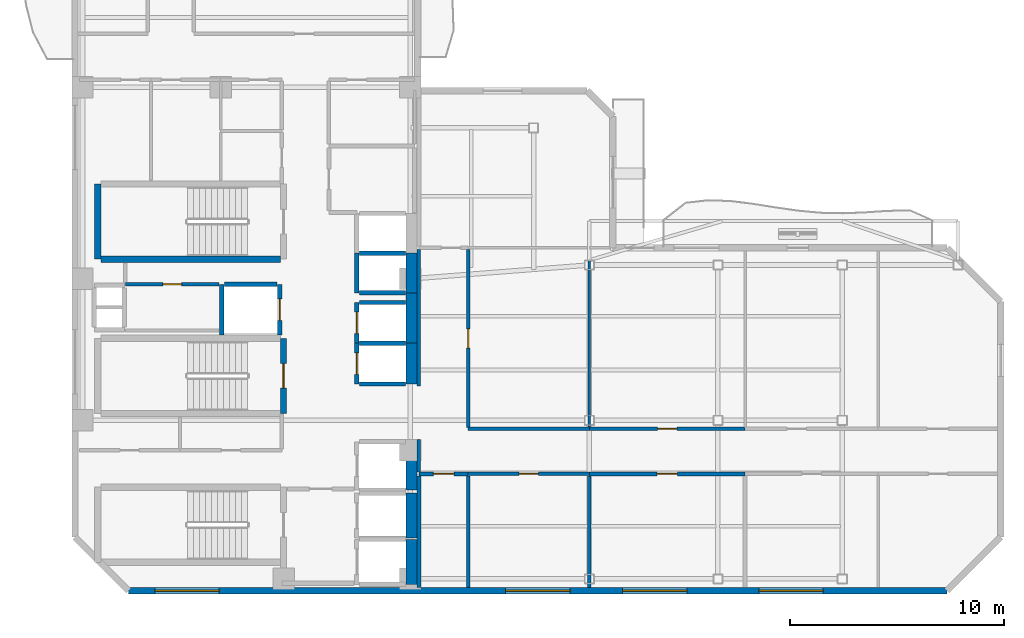
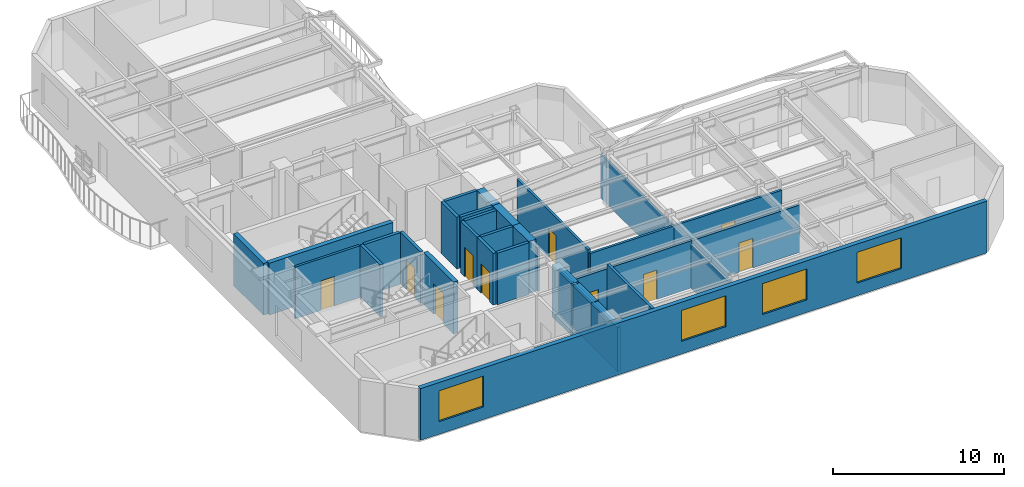
# One storey, part 3 of 9: 34 walls, 10 doors, 4 windows, 14 openings.
"""IFC4 building model written with IfcOpenShell, lengths in metres."""

from ifc_helpers import new_model, si_unit, direction, frame, frame_2d, origin, place, context, subcontext, project, spatial, rectangle, extrude, material, layer, layer_set, type_object, element, fill, save


model = new_model("IFC4")

# Units and contexts
model_context = context("Model", 3, precision=1e-05, world=origin(), true_north=direction((0.0, 1.0)))
body_context = subcontext(model_context, "Body", "Model", "MODEL_VIEW")
ifc_project = project(units=[si_unit("LENGTHUNIT", "METRE"), si_unit("AREAUNIT", "SQUARE_METRE"), si_unit("VOLUMEUNIT", "CUBIC_METRE"), si_unit("PLANEANGLEUNIT", "RADIAN"), si_unit("MASSUNIT", "GRAM", prefix="KILO")], contexts=[model_context])

# Site, building, storey
site_placement = place(None, origin())
site = spatial("IfcSite", under=ifc_project, at=site_placement, CompositionType="ELEMENT")
building_placement = place(site_placement, origin())
building = spatial("IfcBuilding", under=site, at=building_placement, Name="Mawjaban Terraces University", CompositionType="ELEMENT")
storey_placement = place(building_placement, frame((0.0, 0.0, 195.300048828125)))
storey = spatial("IfcBuildingStorey", under=building, at=storey_placement, Name="L47", CompositionType="ELEMENT", Elevation=195.300048828125)

# Wall, opening, door
ifc_material_1 = material(Name="Acoustic masonry blockwork", Category="masonry")
ifc_layer_1 = layer(ifc_material_1, 0.179931640625)
ifc_layer_set_1 = layer_set([ifc_layer_1], Name="Acoustic masonry blockwork")
wall_type_1 = type_object("IfcWallType", Name="AcousticStudioWall_180", PredefinedType="PARTITIONING", material=ifc_layer_set_1)
wall_1_placement = place(storey_placement, frame((38.050048828125, 5.449951171875, 0.0), z_axis=(0.0, 0.0, 1.0), x_axis=(1.0, 0.0, 0.0)))
wall_1 = element("IfcWall", 1, at=wall_1_placement, inside=storey, type_object=wall_type_1, Name="L47 South Spine Spur Link Partition 18", PredefinedType="PARTITIONING", context=body_context, shape_type="SweptSolid", body=[
    extrude(rectangle(XDim=2.300048828125, YDim=0.179931640625, at=frame_2d((1.14990234375, 0.0))), origin(), (0.0, 0.0, 1.0), 3.3720703125),
])
opening_1_placement = place(wall_1_placement, frame((0.675048828125, 0.0, 0.0)))
opening_1 = element("IfcOpeningElement", 2, at=opening_1_placement, cuts=wall_1, Name="Opening ID-095", PredefinedType="OPENING", context=body_context, shape_type="SweptSolid", body=[
    extrude(rectangle(XDim=0.949951171875, YDim=2.10009765625, at=frame_2d((0.47509765625, 1.050048828125))), frame((0.0, 0.099853515625, 0.0), z_axis=(0.0, -1.0, 0.0), x_axis=(1.0, 0.0, 0.0)), (0.0, 0.0, 1.0), 0.199951171875),
])
ifc_material_2 = material(Name="Powder-coated steel frame and solid acoustic timber leaf", Category="steel")
door_type_1 = type_object("IfcDoorType", Name="StudioDoor_950x2100", OperationType="NOTDEFINED", PredefinedType="DOOR", material=ifc_material_2)
door_1_placement = place(opening_1_placement, origin())
door_1 = element("IfcDoor", 3, at=door_1_placement, inside=storey, type_object=door_type_1, Name="L47 Media Workshop 1 Door", OperationType="SINGLE_SWING_LEFT", OverallHeight=2.10009765625, OverallWidth=0.949951171875, PredefinedType="DOOR", context=body_context, shape_type="SweptSolid", body=[
    extrude(rectangle(XDim=0.949951171875, YDim=2.10009765625, at=frame_2d((0.47509765625, 1.050048828125))), frame((0.0, 0.02490234375, 0.0), z_axis=(0.0, -1.0, 0.0), x_axis=(1.0, 0.0, 0.0)), (0.0, 0.0, 1.0), 0.050048828125),
])
fill(opening_1, door_1)

wall_2_placement = place(storey_placement, frame((46.0, 5.449951171875, 0.0), z_axis=(0.0, 0.0, 1.0), x_axis=(1.0, 0.0, 0.0)))
wall_2 = element("IfcWall", 4, at=wall_2_placement, inside=storey, type_object=wall_type_1, Name="L47 South Shifted Academic Corridor Partition 21", PredefinedType="PARTITIONING", context=body_context, shape_type="SweptSolid", body=[
    extrude(rectangle(XDim=7.27001953125, YDim=0.179931640625, at=frame_2d((3.635009765625, 0.0))), origin(), (0.0, 0.0, 1.0), 3.3720703125),
])
opening_2_placement = place(wall_2_placement, frame((3.159912109375, 0.0, 0.0)))
opening_2 = element("IfcOpeningElement", 5, at=opening_2_placement, cuts=wall_2, Name="Opening ID-095", PredefinedType="OPENING", context=body_context, shape_type="SweptSolid", body=[
    extrude(rectangle(XDim=0.949951171875, YDim=2.10009765625, at=frame_2d((0.47509765625, 1.050048828125))), frame((0.0, 0.099853515625, 0.0), z_axis=(0.0, -1.0, 0.0), x_axis=(1.0, 0.0, 0.0)), (0.0, 0.0, 1.0), 0.199951171875),
])
door_2_placement = place(opening_2_placement, origin())
door_2 = element("IfcDoor", 6, at=door_2_placement, inside=storey, type_object=door_type_1, Name="L47 Media Workshop 4 Door", OperationType="SINGLE_SWING_RIGHT", OverallHeight=2.10009765625, OverallWidth=0.949951171875, PredefinedType="DOOR", context=body_context, shape_type="SweptSolid", body=[
    extrude(rectangle(XDim=0.949951171875, YDim=2.10009765625, at=frame_2d((0.47509765625, 1.050048828125))), frame((0.0, 0.02490234375, 0.0), z_axis=(0.0, -1.0, 0.0), x_axis=(1.0, 0.0, 0.0)), (0.0, 0.0, 1.0), 0.050048828125),
])
fill(opening_2, door_2)

# Walls
wall_3_placement = place(storey_placement, frame((38.050048828125, 5.364990234375, 0.0), z_axis=(0.0, 0.0, 1.0), x_axis=(0.0, -1.0, 0.0)))
element("IfcWall", 7, at=wall_3_placement, inside=storey, type_object=wall_type_1, Name="L47 Media Workshop 1 Partition 46", PredefinedType="PARTITIONING", context=body_context, shape_type="SweptSolid", body=[
    extrude(rectangle(XDim=5.219970703125, YDim=0.179931640625, at=frame_2d((2.60986328125, 0.0))), origin(), (0.0, 0.0, 1.0), 3.14599609375),
])
wall_4_placement = place(storey_placement, frame((40.35009765625, 0.14501953125, 0.0), z_axis=(0.0, 0.0, 1.0), x_axis=(0.0, 1.0, 0.0)))
element("IfcWall", 8, at=wall_4_placement, inside=storey, type_object=wall_type_1, Name="L47 Media Workshop 1 Partition 50", PredefinedType="PARTITIONING", context=body_context, shape_type="SweptSolid", body=[
    extrude(rectangle(XDim=5.219970703125, YDim=0.179931640625, at=frame_2d((2.60986328125, 0.0))), origin(), (0.0, 0.0, 1.0), 3.68994140625),
])
wall_5_placement = place(storey_placement, frame((46.0, 0.14501953125, 0.0), z_axis=(0.0, 0.0, 1.0), x_axis=(0.0, 1.0, 0.0)))
element("IfcWall", 9, at=wall_5_placement, inside=storey, type_object=wall_type_1, Name="L47 Quiet Reading Room 2 Partition 52", PredefinedType="PARTITIONING", context=body_context, shape_type="SweptSolid", body=[
    extrude(rectangle(XDim=5.219970703125, YDim=0.179931640625, at=frame_2d((2.60986328125, 0.0))), origin(), (0.0, 0.0, 1.0), 3.14599609375),
])
ifc_material_3 = material(Name="Concrete C60/75", Category="concrete")
ifc_layer_2 = layer(ifc_material_3, 0.5)
ifc_layer_set_2 = layer_set([ifc_layer_2], Name="Concrete C60/75")
wall_type_2 = type_object("IfcWallType", Name="CoreShearWall_500", PredefinedType="SHEAR", material=ifc_layer_set_2)
wall_6_placement = place(storey_placement, frame((37.699951171875, 0.300048828125, 0.0), z_axis=(0.0, 0.0, 1.0), x_axis=(0.0, 1.0, 0.0)))
element("IfcWall", 10, at=wall_6_placement, inside=storey, type_object=wall_type_2, Name="L47 Lift FL-1 Hoistway Wall East", PredefinedType="SHEAR", context=body_context, shape_type="SweptSolid", body=[
    extrude(rectangle(XDim=2.099853515625, YDim=0.5, at=frame_2d((1.0498046875, 0.0))), origin(), (0.0, 0.0, 1.0), 3.68994140625),
])
wall_7_placement = place(storey_placement, frame((37.699951171875, 2.449951171875, 0.0), z_axis=(0.0, 0.0, 1.0), x_axis=(0.0, 1.0, 0.0)))
element("IfcWall", 11, at=wall_7_placement, inside=storey, type_object=wall_type_2, Name="L47 Lift FL-2 Hoistway Wall East", PredefinedType="SHEAR", context=body_context, shape_type="SweptSolid", body=[
    extrude(rectangle(XDim=2.10009765625, YDim=0.5, at=frame_2d((1.050048828125, 0.0))), origin(), (0.0, 0.0, 1.0), 3.68994140625),
])
wall_8_placement = place(storey_placement, frame((37.699951171875, 4.699951171875, 0.0), z_axis=(0.0, 0.0, 1.0), x_axis=(0.0, 1.0, 0.0)))
element("IfcWall", 12, at=wall_8_placement, inside=storey, type_object=wall_type_2, Name="L47 Lift SL-1 Hoistway Wall East", PredefinedType="SHEAR", context=body_context, shape_type="SweptSolid", body=[
    extrude(rectangle(XDim=2.25, YDim=0.5, at=frame_2d((1.125, 0.0))), origin(), (0.0, 0.0, 1.0), 3.68994140625),
])
wall_9_placement = place(storey_placement, frame((37.699951171875, 9.64990234375, 0.0), z_axis=(0.0, 0.0, 1.0), x_axis=(0.0, 1.0, 0.0)))
element("IfcWall", 13, at=wall_9_placement, inside=storey, type_object=wall_type_2, Name="L47 Lift PL-H1 Hoistway Wall East", PredefinedType="SHEAR", context=body_context, shape_type="SweptSolid", body=[
    extrude(rectangle(XDim=1.900146484375, YDim=0.5, at=frame_2d((0.9501953125, 0.0))), origin(), (0.0, 0.0, 1.0), 3.68994140625),
])
wall_10_placement = place(storey_placement, frame((37.699951171875, 11.550048828125, 0.0), z_axis=(0.0, 0.0, 1.0), x_axis=(0.0, 1.0, 0.0)))
element("IfcWall", 14, at=wall_10_placement, inside=storey, type_object=wall_type_2, Name="L47 Lift PL-H2 Hoistway Wall East", PredefinedType="SHEAR", context=body_context, shape_type="SweptSolid", body=[
    extrude(rectangle(XDim=2.349853515625, YDim=0.5, at=frame_2d((1.1748046875, 0.0))), origin(), (0.0, 0.0, 1.0), 3.68994140625),
])
wall_11_placement = place(storey_placement, frame((37.699951171875, 13.89990234375, 0.0), z_axis=(0.0, 0.0, 1.0), x_axis=(0.0, 1.0, 0.0)))
element("IfcWall", 15, at=wall_11_placement, inside=storey, type_object=wall_type_2, Name="L47 Lift OL-1 Hoistway Wall East", PredefinedType="SHEAR", context=body_context, shape_type="SweptSolid", body=[
    extrude(rectangle(XDim=1.85009765625, YDim=0.5, at=frame_2d((0.925048828125, 0.0))), origin(), (0.0, 0.0, 1.0), 3.68994140625),
])

# Wall, opening, door
ifc_material_4 = material(Name="Fire-rated gypsum board on steel stud", Category="steel")
ifc_layer_3 = layer(ifc_material_4, 0.159912109375)
ifc_layer_set_3 = layer_set([ifc_layer_3], Name="Fire-rated gypsum board on steel stud")
wall_type_3 = type_object("IfcWallType", Name="CorridorPartition_160", PredefinedType="PARTITIONING", material=ifc_layer_set_3)
wall_12_placement = place(storey_placement, frame((24.35009765625, 14.300048828125, 0.0), z_axis=(0.0, 0.0, 1.0), x_axis=(1.0, 0.0, 0.0)))
wall_12 = element("IfcWall", 16, at=wall_12_placement, inside=storey, type_object=wall_type_3, Name="L47 Core Riser Access Passage Partition 2", PredefinedType="PARTITIONING", context=body_context, shape_type="SweptSolid", body=[
    extrude(rectangle(XDim=4.369873046875, YDim=0.159912109375, at=frame_2d((2.18505859375, 0.0))), origin(), (0.0, 0.0, 1.0), 3.68994140625),
])
opening_3_placement = place(wall_12_placement, frame((1.7451171875, 0.0, 0.0)))
opening_3 = element("IfcOpeningElement", 17, at=opening_3_placement, cuts=wall_12, Name="Opening ID-088", PredefinedType="OPENING", context=body_context, shape_type="SweptSolid", body=[
    extrude(rectangle(XDim=0.8798828125, YDim=2.10009765625, at=frame_2d((0.43994140625, 1.050048828125))), frame((0.0, 0.08984375, 0.0), z_axis=(0.0, -1.0, 0.0), x_axis=(1.0, 0.0, 0.0)), (0.0, 0.0, 1.0), 0.179931640625),
])
door_type_2 = type_object("IfcDoorType", Name="ToiletDoor_880x2100", OperationType="NOTDEFINED", PredefinedType="DOOR", material=ifc_material_2)
door_3_placement = place(opening_3_placement, origin())
door_3 = element("IfcDoor", 18, at=door_3_placement, inside=storey, type_object=door_type_2, Name="L47 Ablution Room Door", OperationType="SINGLE_SWING_RIGHT", OverallHeight=2.10009765625, OverallWidth=0.8798828125, PredefinedType="DOOR", context=body_context, shape_type="SweptSolid", body=[
    extrude(rectangle(XDim=0.8798828125, YDim=2.10009765625, at=frame_2d((0.43994140625, 1.050048828125))), frame((0.0, 0.02490234375, 0.0), z_axis=(0.0, -1.0, 0.0), x_axis=(1.0, 0.0, 0.0)), (0.0, 0.0, 1.0), 0.050048828125),
])
fill(opening_3, door_3)

wall_13_placement = place(storey_placement, frame((40.35009765625, 5.449951171875, 0.0), z_axis=(0.0, 0.0, 1.0), x_axis=(1.0, 0.0, 0.0)))
wall_13 = element("IfcWall", 19, at=wall_13_placement, inside=storey, type_object=wall_type_3, Name="L47 South Shifted Academic Corridor Partition 19", PredefinedType="PARTITIONING", context=body_context, shape_type="SweptSolid", body=[
    extrude(rectangle(XDim=5.64990234375, YDim=0.159912109375, at=frame_2d((2.824951171875, 0.0))), origin(), (0.0, 0.0, 1.0), 3.3720703125),
])
opening_4_placement = place(wall_13_placement, frame((2.375, 0.0, 0.0)))
opening_4 = element("IfcOpeningElement", 20, at=opening_4_placement, cuts=wall_13, Name="Opening ID-090", PredefinedType="OPENING", context=body_context, shape_type="SweptSolid", body=[
    extrude(rectangle(XDim=0.89990234375, YDim=2.10009765625, at=frame_2d((0.449951171875, 1.050048828125))), frame((0.0, 0.08984375, 0.0), z_axis=(0.0, -1.0, 0.0), x_axis=(1.0, 0.0, 0.0)), (0.0, 0.0, 1.0), 0.179931640625),
])
door_type_3 = type_object("IfcDoorType", Name="OfficeDoor_900x2100", OperationType="NOTDEFINED", PredefinedType="DOOR", material=ifc_material_2)
door_4_placement = place(opening_4_placement, origin())
door_4 = element("IfcDoor", 21, at=door_4_placement, inside=storey, type_object=door_type_3, Name="L47 Quiet Reading Room 2 Door", OperationType="SINGLE_SWING_RIGHT", OverallHeight=2.10009765625, OverallWidth=0.89990234375, PredefinedType="DOOR", context=body_context, shape_type="SweptSolid", body=[
    extrude(rectangle(XDim=0.89990234375, YDim=2.10009765625, at=frame_2d((0.449951171875, 1.050048828125))), frame((0.0, 0.02490234375, 0.0), z_axis=(0.0, -1.0, 0.0), x_axis=(1.0, 0.0, 0.0)), (0.0, 0.0, 1.0), 0.050048828125),
])
fill(opening_4, door_4)

# Wall
wall_14_placement = place(storey_placement, frame((46.0, 7.550048828125, 0.0), z_axis=(0.0, 0.0, 1.0), x_axis=(-1.0, 0.0, 0.0)))
element("IfcWall", 22, at=wall_14_placement, inside=storey, type_object=wall_type_3, Name="L47 South Shifted Academic Corridor Partition 22", PredefinedType="PARTITIONING", context=body_context, shape_type="SweptSolid", body=[
    extrude(rectangle(XDim=5.64990234375, YDim=0.159912109375, at=frame_2d((2.824951171875, 0.0))), origin(), (0.0, 0.0, 1.0), 3.14599609375),
])

# Wall, opening, door
wall_15_placement = place(storey_placement, frame((53.27001953125, 7.550048828125, 0.0), z_axis=(0.0, 0.0, 1.0), x_axis=(-1.0, 0.0, 0.0)))
wall_15 = element("IfcWall", 23, at=wall_15_placement, inside=storey, type_object=wall_type_3, Name="L47 South Shifted Academic Corridor Partition 26", PredefinedType="PARTITIONING", context=body_context, shape_type="SweptSolid", body=[
    extrude(rectangle(XDim=7.27001953125, YDim=0.159912109375, at=frame_2d((3.635009765625, 0.0))), origin(), (0.0, 0.0, 1.0), 3.14599609375),
])
opening_5_placement = place(wall_15_placement, frame((3.18505859375, 0.0, 0.0)))
opening_5 = element("IfcOpeningElement", 24, at=opening_5_placement, cuts=wall_15, Name="Opening ID-090", PredefinedType="OPENING", context=body_context, shape_type="SweptSolid", body=[
    extrude(rectangle(XDim=0.89990234375, YDim=2.10009765625, at=frame_2d((0.449951171875, 1.050048828125))), frame((0.0, 0.08984375, 0.0), z_axis=(0.0, -1.0, 0.0), x_axis=(1.0, 0.0, 0.0)), (0.0, 0.0, 1.0), 0.179931640625),
])
door_5_placement = place(opening_5_placement, origin())
door_5 = element("IfcDoor", 25, at=door_5_placement, inside=storey, type_object=door_type_3, Name="L47 Quiet Reading Room 5 Door", OperationType="SINGLE_SWING_LEFT", OverallHeight=2.10009765625, OverallWidth=0.89990234375, PredefinedType="DOOR", context=body_context, shape_type="SweptSolid", body=[
    extrude(rectangle(XDim=0.89990234375, YDim=2.10009765625, at=frame_2d((0.449951171875, 1.050048828125))), frame((0.0, 0.02490234375, 0.0), z_axis=(0.0, -1.0, 0.0), x_axis=(1.0, 0.0, 0.0)), (0.0, 0.0, 1.0), 0.050048828125),
])
fill(opening_5, door_5)

# Walls
wall_16_placement = place(storey_placement, frame((38.050048828125, 7.050048828125, 0.0), z_axis=(0.0, 0.0, 1.0), x_axis=(0.0, -1.0, 0.0)))
element("IfcWall", 26, at=wall_16_placement, inside=storey, type_object=wall_type_3, Name="L47 South Spine Spur Link Partition 47", PredefinedType="PARTITIONING", context=body_context, shape_type="SweptSolid", body=[
    extrude(rectangle(XDim=1.51513671875, YDim=0.159912109375, at=frame_2d((0.757568359375, 0.0))), origin(), (0.0, 0.0, 1.0), 3.14599609375),
])
wall_17_placement = place(storey_placement, frame((38.050048828125, 15.925048828125, 0.0), z_axis=(0.0, 0.0, 1.0), x_axis=(0.0, -1.0, 0.0)))
element("IfcWall", 27, at=wall_17_placement, inside=storey, type_object=wall_type_3, Name="L47 South Spine Spur Link Partition 48", PredefinedType="PARTITIONING", context=body_context, shape_type="SweptSolid", body=[
    extrude(rectangle(XDim=6.375, YDim=0.159912109375, at=frame_2d((3.1875, 0.0))), origin(), (0.0, 0.0, 1.0), 3.14599609375),
])

# Wall, opening, door
wall_18_placement = place(storey_placement, frame((40.35009765625, 7.625, 0.0), z_axis=(0.0, 0.0, 1.0), x_axis=(0.0, 1.0, 0.0)))
wall_18 = element("IfcWall", 28, at=wall_18_placement, inside=storey, type_object=wall_type_3, Name="L47 South Spine Spur Link Partition 51", PredefinedType="PARTITIONING", context=body_context, shape_type="SweptSolid", body=[
    extrude(rectangle(XDim=8.300048828125, YDim=0.159912109375, at=frame_2d((4.14990234375, 0.0))), origin(), (0.0, 0.0, 1.0), 3.3720703125),
])
opening_6_placement = place(wall_18_placement, frame((3.699951171875, 0.0, 0.0)))
opening_6 = element("IfcOpeningElement", 29, at=opening_6_placement, cuts=wall_18, Name="Opening ID-090", PredefinedType="OPENING", context=body_context, shape_type="SweptSolid", body=[
    extrude(rectangle(XDim=0.89990234375, YDim=2.10009765625, at=frame_2d((0.449951171875, 1.050048828125))), frame((0.0, 0.08984375, 0.0), z_axis=(0.0, -1.0, 0.0), x_axis=(1.0, 0.0, 0.0)), (0.0, 0.0, 1.0), 0.179931640625),
])
door_6_placement = place(opening_6_placement, origin())
door_6 = element("IfcDoor", 30, at=door_6_placement, inside=storey, type_object=door_type_3, Name="L47 Reading Salon 3 Door", OperationType="SINGLE_SWING_LEFT", OverallHeight=2.10009765625, OverallWidth=0.89990234375, PredefinedType="DOOR", context=body_context, shape_type="SweptSolid", body=[
    extrude(rectangle(XDim=0.89990234375, YDim=2.10009765625, at=frame_2d((0.449951171875, 1.050048828125))), frame((0.0, 0.02490234375, 0.0), z_axis=(0.0, -1.0, 0.0), x_axis=(1.0, 0.0, 0.0)), (0.0, 0.0, 1.0), 0.050048828125),
])
fill(opening_6, door_6)

# Wall, openings, windows
ifc_material_5 = material(Name="Insulated terracotta rainscreen on concrete backup C40/50", Category="masonry")
ifc_layer_4 = layer(ifc_material_5, 0.300048828125)
ifc_layer_set_4 = layer_set([ifc_layer_4], Name="Insulated terracotta rainscreen on concrete backup C40/50")
wall_type_4 = type_object("IfcWallType", Name="ExtTerracottaWall_300", PredefinedType="SOLIDWALL", material=ifc_layer_set_4)
wall_19_placement = place(storey_placement, frame((24.5, 0.0, 0.0), z_axis=(0.0, 0.0, 1.0), x_axis=(1.0, 0.0, 0.0)))
wall_19 = element("IfcWall", 31, at=wall_19_placement, inside=storey, type_object=wall_type_4, Name="L47 Exterior Terracotta Wall 1", PredefinedType="SOLIDWALL", context=body_context, shape_type="SweptSolid", body=[
    extrude(rectangle(XDim=38.199951171875, YDim=0.300048828125, at=frame_2d((19.10009765625, 0.0))), origin(), (0.0, 0.0, 1.0), 3.68994140625),
])
opening_7_placement = place(wall_19_placement, frame((1.22900390625, 0.0, 0.89990234375)))
opening_7 = element("IfcOpeningElement", 32, at=opening_7_placement, cuts=wall_19, Name="Opening W-12", PredefinedType="OPENING", context=body_context, shape_type="SweptSolid", body=[
    extrude(rectangle(XDim=3.0, YDim=2.199951171875, at=frame_2d((1.5, 1.10009765625))), frame((0.0, 0.159912109375, 0.0), z_axis=(0.0, -1.0, 0.0), x_axis=(1.0, 0.0, 0.0)), (0.0, 0.0, 1.0), 0.320068359375),
])
opening_8_placement = place(wall_19_placement, frame((17.60009765625, 0.0, 0.89990234375)))
opening_8 = element("IfcOpeningElement", 33, at=opening_8_placement, cuts=wall_19, Name="Opening W-12", PredefinedType="OPENING", context=body_context, shape_type="SweptSolid", body=[
    extrude(rectangle(XDim=3.0, YDim=2.199951171875, at=frame_2d((1.5, 1.10009765625))), frame((0.0, 0.159912109375, 0.0), z_axis=(0.0, -1.0, 0.0), x_axis=(1.0, 0.0, 0.0)), (0.0, 0.0, 1.0), 0.320068359375),
])
opening_9_placement = place(wall_19_placement, frame((23.056884765625, 0.0, 0.89990234375)))
opening_9 = element("IfcOpeningElement", 34, at=opening_9_placement, cuts=wall_19, Name="Opening W-12", PredefinedType="OPENING", context=body_context, shape_type="SweptSolid", body=[
    extrude(rectangle(XDim=3.0, YDim=2.199951171875, at=frame_2d((1.5, 1.10009765625))), frame((0.0, 0.159912109375, 0.0), z_axis=(0.0, -1.0, 0.0), x_axis=(1.0, 0.0, 0.0)), (0.0, 0.0, 1.0), 0.320068359375),
])
opening_10_placement = place(wall_19_placement, frame((29.4140625, 0.0, 0.89990234375)))
opening_10 = element("IfcOpeningElement", 35, at=opening_10_placement, cuts=wall_19, Name="Opening W-12", PredefinedType="OPENING", context=body_context, shape_type="SweptSolid", body=[
    extrude(rectangle(XDim=3.0, YDim=2.199951171875, at=frame_2d((1.5, 1.10009765625))), frame((0.0, 0.159912109375, 0.0), z_axis=(0.0, -1.0, 0.0), x_axis=(1.0, 0.0, 0.0)), (0.0, 0.0, 1.0), 0.320068359375),
])
ifc_material_6 = material(Name="Low-E solar-control double glazing in thermally broken aluminium frame", Category="aluminium")
window_type = type_object("IfcWindowType", Name="Win_3000x2200", PartitioningType="SINGLE_PANEL", PredefinedType="WINDOW", material=ifc_material_6)
window_1_placement = place(opening_7_placement, origin())
window_1 = element("IfcWindow", 36, at=window_1_placement, inside=storey, type_object=window_type, Name="L47 Facade Window 1.1", OverallHeight=2.199951171875, OverallWidth=3.0, PartitioningType="SINGLE_PANEL", PredefinedType="WINDOW", context=body_context, shape_type="SweptSolid", body=[
    extrude(rectangle(XDim=3.0, YDim=2.199951171875, at=frame_2d((1.5, 1.10009765625))), frame((0.0, 0.030029296875, 0.0), z_axis=(0.0, -1.0, 0.0), x_axis=(1.0, 0.0, 0.0)), (0.0, 0.0, 1.0), 0.06005859375),
])
fill(opening_7, window_1)
window_2_placement = place(opening_8_placement, origin())
window_2 = element("IfcWindow", 37, at=window_2_placement, inside=storey, type_object=window_type, Name="L47 Facade Window 1.4", OverallHeight=2.199951171875, OverallWidth=3.0, PartitioningType="SINGLE_PANEL", PredefinedType="WINDOW", context=body_context, shape_type="SweptSolid", body=[
    extrude(rectangle(XDim=3.0, YDim=2.199951171875, at=frame_2d((1.5, 1.10009765625))), frame((0.0, 0.030029296875, 0.0), z_axis=(0.0, -1.0, 0.0), x_axis=(1.0, 0.0, 0.0)), (0.0, 0.0, 1.0), 0.06005859375),
])
fill(opening_8, window_2)
window_3_placement = place(opening_9_placement, origin())
window_3 = element("IfcWindow", 38, at=window_3_placement, inside=storey, type_object=window_type, Name="L47 Facade Window 1.5", OverallHeight=2.199951171875, OverallWidth=3.0, PartitioningType="SINGLE_PANEL", PredefinedType="WINDOW", context=body_context, shape_type="SweptSolid", body=[
    extrude(rectangle(XDim=3.0, YDim=2.199951171875, at=frame_2d((1.5, 1.10009765625))), frame((0.0, 0.030029296875, 0.0), z_axis=(0.0, -1.0, 0.0), x_axis=(1.0, 0.0, 0.0)), (0.0, 0.0, 1.0), 0.06005859375),
])
fill(opening_9, window_3)
window_4_placement = place(opening_10_placement, origin())
window_4 = element("IfcWindow", 39, at=window_4_placement, inside=storey, type_object=window_type, Name="L47 Facade Window 1.6", OverallHeight=2.199951171875, OverallWidth=3.0, PartitioningType="SINGLE_PANEL", PredefinedType="WINDOW", context=body_context, shape_type="SweptSolid", body=[
    extrude(rectangle(XDim=3.0, YDim=2.199951171875, at=frame_2d((1.5, 1.10009765625))), frame((0.0, 0.030029296875, 0.0), z_axis=(0.0, -1.0, 0.0), x_axis=(1.0, 0.0, 0.0)), (0.0, 0.0, 1.0), 0.06005859375),
])
fill(opening_10, window_4)

# Wall, opening, door
ifc_material_7 = material(Name="Concrete C40/50", Category="concrete")
ifc_layer_5 = layer(ifc_material_7, 0.199951171875)
ifc_layer_set_5 = layer_set([ifc_layer_5], Name="Concrete C40/50")
wall_type_5 = type_object("IfcWallType", Name="FireLobbyWall_200", PredefinedType="SOLIDWALL", material=ifc_layer_set_5)
wall_20_placement = place(storey_placement, frame((35.14990234375, 11.550048828125, 0.0), z_axis=(0.0, 0.0, 1.0), x_axis=(0.0, -1.0, 0.0)))
wall_20 = element("IfcWall", 40, at=wall_20_placement, inside=storey, type_object=wall_type_5, Name="L47 Lift PL-H1 Hoistway Wall West", PredefinedType="SOLIDWALL", context=body_context, shape_type="SweptSolid", body=[
    extrude(rectangle(XDim=1.900146484375, YDim=0.199951171875, at=frame_2d((0.9501953125, 0.0))), origin(), (0.0, 0.0, 1.0), 3.68994140625),
])
opening_11_placement = place(wall_20_placement, frame((0.449951171875, 0.0, 0.0)))
opening_11 = element("IfcOpeningElement", 41, at=opening_11_placement, cuts=wall_20, Name="Opening LD-PL-H1", PredefinedType="OPENING", context=body_context, shape_type="SweptSolid", body=[
    extrude(rectangle(XDim=1.0, YDim=2.10009765625, at=frame_2d((0.5, 1.050048828125))), frame((0.0, 0.10986328125, 0.0), z_axis=(0.0, -1.0, 0.0), x_axis=(1.0, 0.0, 0.0)), (0.0, 0.0, 1.0), 0.219970703125),
])
ifc_material_8 = material(Name="Powder-coated steel frame and fire-rated steel-faced leaf", Category="steel")
door_type_4 = type_object("IfcDoorType", Name="LiftLandingSliding_1000x2100", OperationType="NOTDEFINED", PredefinedType="DOOR", material=ifc_material_8)
door_7_placement = place(opening_11_placement, origin())
door_7 = element("IfcDoor", 42, at=door_7_placement, inside=storey, type_object=door_type_4, Name="L47 Lift PL-H1 Sliding Landing Door", OperationType="DOUBLE_DOOR_SLIDING", OverallHeight=2.10009765625, OverallWidth=1.0, PredefinedType="DOOR", context=body_context, shape_type="SweptSolid", body=[
    extrude(rectangle(XDim=1.0, YDim=2.10009765625, at=frame_2d((0.5, 1.050048828125))), frame((0.0, 0.02490234375, 0.0), z_axis=(0.0, -1.0, 0.0), x_axis=(1.0, 0.0, 0.0)), (0.0, 0.0, 1.0), 0.050048828125),
])
fill(opening_11, door_7)

# Walls
for number, where, z_axis, x_axis, name in (
    (43, (35.280029296875, 9.64990234375, 0.0), (0.0, 0.0, 1.0), (1.0, 0.0, 0.0), "L47 Lift PL-H1 Hoistway Wall South"),
    (44, (37.419921875, 11.550048828125, 0.0), (0.0, 0.0, 1.0), (-1.0, 0.0, 0.0), "L47 Lift PL-H1 Hoistway Wall North"),
):
    element("IfcWall", number, at=place(storey_placement, frame(where, z_axis=z_axis, x_axis=x_axis)), inside=storey, type_object=wall_type_5, Name=name, PredefinedType="SOLIDWALL", context=body_context, shape_type="SweptSolid", body=[
        extrude(rectangle(XDim=2.139892578125, YDim=0.199951171875, at=frame_2d((1.06982421875, 0.0))), origin(), (0.0, 0.0, 1.0), 3.68994140625),
    ])

# Wall, opening, door
wall_21_placement = place(storey_placement, frame((35.14990234375, 13.449951171875, 0.0), z_axis=(0.0, 0.0, 1.0), x_axis=(0.0, -1.0, 0.0)))
wall_21 = element("IfcWall", 45, at=wall_21_placement, inside=storey, type_object=wall_type_5, Name="L47 Lift PL-H2 Hoistway Wall West", PredefinedType="SOLIDWALL", context=body_context, shape_type="SweptSolid", body=[
    extrude(rectangle(XDim=1.89990234375, YDim=0.199951171875, at=frame_2d((0.949951171875, 0.0))), origin(), (0.0, 0.0, 1.0), 3.68994140625),
])
opening_12_placement = place(wall_21_placement, frame((0.449951171875, 0.0, 0.0)))
opening_12 = element("IfcOpeningElement", 46, at=opening_12_placement, cuts=wall_21, Name="Opening LD-PL-H2", PredefinedType="OPENING", context=body_context, shape_type="SweptSolid", body=[
    extrude(rectangle(XDim=1.0, YDim=2.10009765625, at=frame_2d((0.5, 1.050048828125))), frame((0.0, 0.10986328125, 0.0), z_axis=(0.0, -1.0, 0.0), x_axis=(1.0, 0.0, 0.0)), (0.0, 0.0, 1.0), 0.219970703125),
])
door_8_placement = place(opening_12_placement, origin())
door_8 = element("IfcDoor", 47, at=door_8_placement, inside=storey, type_object=door_type_4, Name="L47 Lift PL-H2 Sliding Landing Door", OperationType="DOUBLE_DOOR_SLIDING", OverallHeight=2.10009765625, OverallWidth=1.0, PredefinedType="DOOR", context=body_context, shape_type="SweptSolid", body=[
    extrude(rectangle(XDim=1.0, YDim=2.10009765625, at=frame_2d((0.5, 1.050048828125))), frame((0.0, 0.02490234375, 0.0), z_axis=(0.0, -1.0, 0.0), x_axis=(1.0, 0.0, 0.0)), (0.0, 0.0, 1.0), 0.050048828125),
])
fill(opening_12, door_8)

# Walls
wall_22_placement = place(storey_placement, frame((37.419921875, 13.449951171875, 0.0), z_axis=(0.0, 0.0, 1.0), x_axis=(-1.0, 0.0, 0.0)))
element("IfcWall", 48, at=wall_22_placement, inside=storey, type_object=wall_type_5, Name="L47 Lift PL-H2 Hoistway Wall North", PredefinedType="SOLIDWALL", context=body_context, shape_type="SweptSolid", body=[
    extrude(rectangle(XDim=2.139892578125, YDim=0.199951171875, at=frame_2d((1.06982421875, 0.0))), origin(), (0.0, 0.0, 1.0), 3.68994140625),
])
wall_23_placement = place(storey_placement, frame((28.85009765625, 14.300048828125, 0.0), z_axis=(0.0, 0.0, 1.0), x_axis=(0.0, -1.0, 0.0)))
element("IfcWall", 49, at=wall_23_placement, inside=storey, type_object=wall_type_5, Name="L47 Lift PL-H3 Hoistway Wall West", PredefinedType="SOLIDWALL", context=body_context, shape_type="SweptSolid", body=[
    extrude(rectangle(XDim=2.3701171875, YDim=0.199951171875, at=frame_2d((1.18505859375, 0.0))), origin(), (0.0, 0.0, 1.0), 3.68994140625),
])

# Wall, opening, door
wall_24_placement = place(storey_placement, frame((31.550048828125, 11.929931640625, 0.0), z_axis=(0.0, 0.0, 1.0), x_axis=(0.0, 1.0, 0.0)))
wall_24 = element("IfcWall", 50, at=wall_24_placement, inside=storey, type_object=wall_type_5, Name="L47 Lift PL-H3 Hoistway Wall East", PredefinedType="SOLIDWALL", context=body_context, shape_type="SweptSolid", body=[
    extrude(rectangle(XDim=2.3701171875, YDim=0.199951171875, at=frame_2d((1.18505859375, 0.0))), origin(), (0.0, 0.0, 1.0), 3.68994140625),
])
opening_13_placement = place(wall_24_placement, frame((0.68505859375, 0.0, 0.0)))
opening_13 = element("IfcOpeningElement", 51, at=opening_13_placement, cuts=wall_24, Name="Opening LD-PL-H3", PredefinedType="OPENING", context=body_context, shape_type="SweptSolid", body=[
    extrude(rectangle(XDim=1.0, YDim=2.10009765625, at=frame_2d((0.5, 1.050048828125))), frame((0.0, 0.10986328125, 0.0), z_axis=(0.0, -1.0, 0.0), x_axis=(1.0, 0.0, 0.0)), (0.0, 0.0, 1.0), 0.219970703125),
])
door_9_placement = place(opening_13_placement, origin())
door_9 = element("IfcDoor", 52, at=door_9_placement, inside=storey, type_object=door_type_4, Name="L47 Lift PL-H3 Sliding Landing Door", OperationType="DOUBLE_DOOR_SLIDING", OverallHeight=2.10009765625, OverallWidth=1.0, PredefinedType="DOOR", context=body_context, shape_type="SweptSolid", body=[
    extrude(rectangle(XDim=1.0, YDim=2.10009765625, at=frame_2d((0.5, 1.050048828125))), frame((0.0, 0.02490234375, 0.0), z_axis=(0.0, -1.0, 0.0), x_axis=(1.0, 0.0, 0.0)), (0.0, 0.0, 1.0), 0.050048828125),
])
fill(opening_13, door_9)

# Walls
wall_25_placement = place(storey_placement, frame((31.419921875, 14.300048828125, 0.0), z_axis=(0.0, 0.0, 1.0), x_axis=(-1.0, 0.0, 0.0)))
element("IfcWall", 53, at=wall_25_placement, inside=storey, type_object=wall_type_5, Name="L47 Lift PL-H3 Hoistway Wall North", PredefinedType="SOLIDWALL", context=body_context, shape_type="SweptSolid", body=[
    extrude(rectangle(XDim=2.43994140625, YDim=0.199951171875, at=frame_2d((1.219970703125, 0.0))), origin(), (0.0, 0.0, 1.0), 3.68994140625),
])
wall_26_placement = place(storey_placement, frame((35.14990234375, 15.75, 0.0), z_axis=(0.0, 0.0, 1.0), x_axis=(0.0, -1.0, 0.0)))
element("IfcWall", 54, at=wall_26_placement, inside=storey, type_object=wall_type_5, Name="L47 Lift OL-1 Hoistway Wall West", PredefinedType="SOLIDWALL", context=body_context, shape_type="SweptSolid", body=[
    extrude(rectangle(XDim=1.85009765625, YDim=0.199951171875, at=frame_2d((0.925048828125, 0.0))), origin(), (0.0, 0.0, 1.0), 3.68994140625),
])
for number, where, z_axis, x_axis, name in (
    (55, (35.280029296875, 13.89990234375, 0.0), (0.0, 0.0, 1.0), (1.0, 0.0, 0.0), "L47 Lift OL-1 Hoistway Wall South"),
    (56, (37.419921875, 15.75, 0.0), (0.0, 0.0, 1.0), (-1.0, 0.0, 0.0), "L47 Lift OL-1 Hoistway Wall North"),
):
    element("IfcWall", number, at=place(storey_placement, frame(where, z_axis=z_axis, x_axis=x_axis)), inside=storey, type_object=wall_type_5, Name=name, PredefinedType="SOLIDWALL", context=body_context, shape_type="SweptSolid", body=[
        extrude(rectangle(XDim=2.139892578125, YDim=0.199951171875, at=frame_2d((1.06982421875, 0.0))), origin(), (0.0, 0.0, 1.0), 3.68994140625),
    ])
ifc_material_9 = material(Name="Gypsum plasterboard on steel stud", Category="steel")
ifc_layer_6 = layer(ifc_material_9, 0.125)
ifc_layer_set_6 = layer_set([ifc_layer_6], Name="Gypsum plasterboard on steel stud")
wall_type_6 = type_object("IfcWallType", Name="OfficePartition_125", PredefinedType="PARTITIONING", material=ifc_layer_set_6)
wall_27_placement = place(storey_placement, frame((46.0, 7.625, 0.0), z_axis=(0.0, 0.0, 1.0), x_axis=(0.0, 1.0, 0.0)))
element("IfcWall", 57, at=wall_27_placement, inside=storey, type_object=wall_type_6, Name="L47 Reading Salon 3 Partition 53", PredefinedType="PARTITIONING", context=body_context, shape_type="SweptSolid", body=[
    extrude(rectangle(XDim=8.318115234375, YDim=0.125, at=frame_2d((4.1591796875, 0.0))), origin(), (0.0, 0.0, 1.0), 3.14599609375),
])
ifc_layer_7 = layer(ifc_material_3, 0.300048828125)
ifc_layer_set_7 = layer_set([ifc_layer_7], Name="Concrete C60/75")
wall_type_7 = type_object("IfcWallType", Name="StairShaftWall_300", PredefinedType="SHEAR", material=ifc_layer_set_7)
wall_28_placement = place(storey_placement, frame((23.070068359375, 18.97998046875, 0.0), z_axis=(0.0, 0.0, 1.0), x_axis=(0.0, -1.0, 0.0)))
element("IfcWall", 58, at=wall_28_placement, inside=storey, type_object=wall_type_7, Name="L47 ST-2 Stair Shaft Wall 2", PredefinedType="SHEAR", context=body_context, shape_type="SweptSolid", body=[
    extrude(rectangle(XDim=3.510009765625, YDim=0.300048828125, at=frame_2d((1.7548828125, 0.0))), origin(), (0.0, 0.0, 1.0), 3.68994140625),
])
wall_29_placement = place(storey_placement, frame((23.219970703125, 15.469970703125, 0.0), z_axis=(0.0, 0.0, 1.0), x_axis=(1.0, 0.0, 0.0)))
element("IfcWall", 59, at=wall_29_placement, inside=storey, type_object=wall_type_7, Name="L47 ST-2 Stair Shaft Wall 3", PredefinedType="SHEAR", context=body_context, shape_type="SweptSolid", body=[
    extrude(rectangle(XDim=8.360107421875, YDim=0.300048828125, at=frame_2d((4.18017578125, 0.0))), origin(), (0.0, 0.0, 1.0), 3.68994140625),
])

# Wall, opening, door
wall_30_placement = place(storey_placement, frame((31.72998046875, 8.27001953125, 0.0), z_axis=(0.0, 0.0, 1.0), x_axis=(0.0, 1.0, 0.0)))
wall_30 = element("IfcWall", 60, at=wall_30_placement, inside=storey, type_object=wall_type_7, Name="L47 ST-3 Stair Shaft Wall 4", PredefinedType="SHEAR", context=body_context, shape_type="SweptSolid", body=[
    extrude(rectangle(XDim=3.510009765625, YDim=0.300048828125, at=frame_2d((1.7548828125, 0.0))), origin(), (0.0, 0.0, 1.0), 3.68994140625),
])
opening_14_placement = place(wall_30_placement, frame((1.179931640625, 0.0, 0.0)))
opening_14 = element("IfcOpeningElement", 61, at=opening_14_placement, cuts=wall_30, Name="Opening FD-115", PredefinedType="OPENING", context=body_context, shape_type="SweptSolid", body=[
    extrude(rectangle(XDim=1.14990234375, YDim=2.14990234375, at=frame_2d((0.574951171875, 1.074951171875))), frame((0.0, 0.159912109375, 0.0), z_axis=(0.0, -1.0, 0.0), x_axis=(1.0, 0.0, 0.0)), (0.0, 0.0, 1.0), 0.320068359375),
])
door_type_5 = type_object("IfcDoorType", Name="FireStairDoor_1150x2150", OperationType="NOTDEFINED", PredefinedType="DOOR", material=ifc_material_8)
door_10_placement = place(opening_14_placement, origin())
door_10 = element("IfcDoor", 62, at=door_10_placement, inside=storey, type_object=door_type_5, Name="L47 ST-3 Pressurised Stair Fire Door", OperationType="SINGLE_SWING_RIGHT", OverallHeight=2.14990234375, OverallWidth=1.14990234375, PredefinedType="DOOR", context=body_context, shape_type="SweptSolid", body=[
    extrude(rectangle(XDim=1.14990234375, YDim=2.14990234375, at=frame_2d((0.574951171875, 1.074951171875))), frame((0.0, 0.02490234375, 0.0), z_axis=(0.0, -1.0, 0.0), x_axis=(1.0, 0.0, 0.0)), (0.0, 0.0, 1.0), 0.050048828125),
])
fill(opening_14, door_10)

save(model, "model.ifc")
